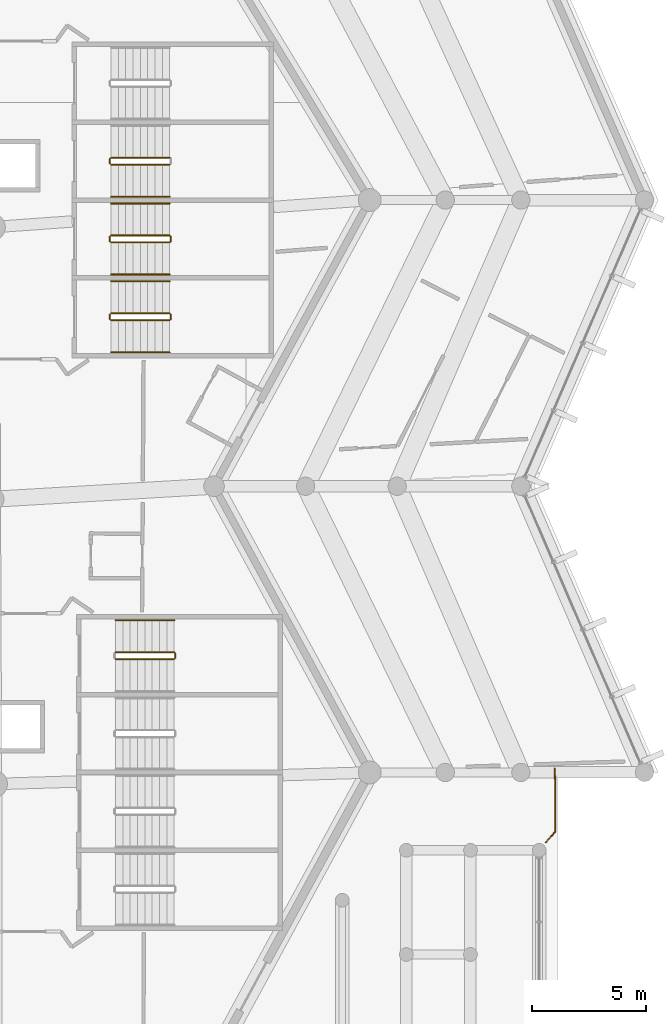
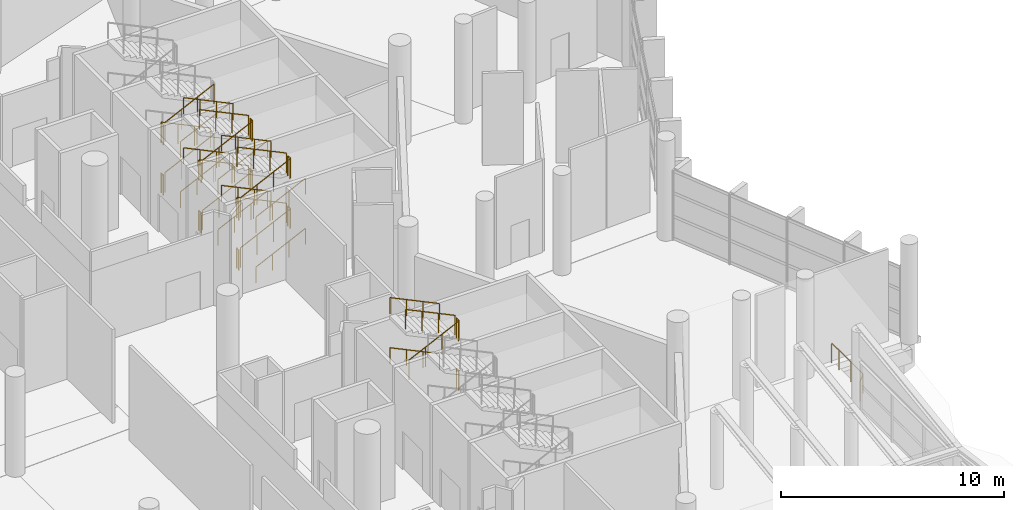
# One storey, part 263 of 271: 38 railings.
"""IFC4 building model written with IfcOpenShell, lengths in metres."""

import ifcopenshell
import ifcopenshell.guid

model = None  # the IFC model being written
_history = None  # IfcOwnerHistory: only IFC2X3 demands one
_inside = {}  # id of a spatial element -> (the spatial element, [elements in it])
_under = {}  # id of a project, library or spatial element -> (it, [spatial elements below it])
_declared = {}  # id of a project -> (the project, [libraries it declares])
_typed = {}  # id of a type object -> (the type object, [elements of that type])
_made_of = {}  # id of a material, layer set ... -> (it, [elements and type objects made of it])


def new_model(schema):
    """Start an empty IFC model of exactly this schema.

    Asked for "IFC4X3", IfcOpenShell would pick the latest addendum, in which some entities
    have other attributes; the version numbers below select the first issue.
    IFC2X3 requires an IfcOwnerHistory on every rooted entity: one is made here for all.
    """
    global model, _history
    if schema == "IFC4X3":
        model = ifcopenshell.file(schema_version=(4, 3, 0, 0))
    else:
        model = ifcopenshell.file(schema=schema)
    _inside.clear()
    _under.clear()
    _declared.clear()
    _typed.clear()
    _made_of.clear()
    _history = None
    if model.schema == "IFC2X3":
        org = make("IfcOrganization", Name="unknown")
        user = make(
            "IfcPersonAndOrganization",
            ThePerson=make("IfcPerson", FamilyName="unknown"),
            TheOrganization=org,
        )
        app = make(
            "IfcApplication",
            ApplicationDeveloper=org,
            Version="unknown",
            ApplicationFullName="unknown",
            ApplicationIdentifier="unknown",
        )
        _history = make(
            "IfcOwnerHistory",
            OwningUser=user,
            OwningApplication=app,
            ChangeAction="ADDED",
            CreationDate=0,
        )
    return model


def make(cls, **values):
    """One entity of the class cls with the attributes given. An attribute that is None is left unset."""
    return model.create_entity(
        cls, **{name: value for name, value in values.items() if value is not None}
    )


def rooted(cls, **values):
    """An entity with a GlobalId (a new one), such as an element, a storey or a relation."""
    return make(cls, GlobalId=ifcopenshell.guid.new(), OwnerHistory=_history, **values)


def si_unit(unit_type, name, prefix=None):
    """IfcSIUnit, for example si_unit("LENGTHUNIT", "METRE", prefix="MILLI")."""
    return make("IfcSIUnit", UnitType=unit_type, Prefix=prefix, Name=name)


def assignment(units):
    """IfcUnitAssignment: the units of a project."""
    return None if units is None else make("IfcUnitAssignment", Units=units)


def point(xyz):
    """IfcCartesianPoint."""
    return None if xyz is None else make("IfcCartesianPoint", Coordinates=xyz)


def direction(xyz):
    """IfcDirection."""
    return None if xyz is None else make("IfcDirection", DirectionRatios=xyz)


def frame(location, z_axis=None, x_axis=None):
    """IfcAxis2Placement3D, a coordinate frame: its origin and axes. An axis left out is left unset."""
    return make(
        "IfcAxis2Placement3D",
        Location=point(location),
        Axis=direction(z_axis),
        RefDirection=direction(x_axis),
    )


def frame_2d(location, x_axis=None):
    """IfcAxis2Placement2D, a coordinate frame in the plane: its origin and x axis."""
    return make(
        "IfcAxis2Placement2D", Location=point(location), RefDirection=direction(x_axis)
    )


def origin():
    """The frame at (0, 0, 0) with its axes left unset."""
    return frame((0.0, 0.0, 0.0))


def origin_2d():
    """The frame at (0, 0) in the plane with its x axis left unset."""
    return frame_2d((0.0, 0.0))


def place(relative_to, where):
    """IfcLocalPlacement: puts the frame where relative to a parent placement (None: the world)."""
    return make(
        "IfcLocalPlacement", PlacementRelTo=relative_to, RelativePlacement=where
    )


def context(
    kind, dimensions, precision=None, world=None, true_north=None, identifier=None
):
    """IfcGeometricRepresentationContext, for example the 3D "Model" context."""
    return make(
        "IfcGeometricRepresentationContext",
        ContextIdentifier=identifier,
        ContextType=kind,
        CoordinateSpaceDimension=dimensions,
        Precision=precision,
        WorldCoordinateSystem=world,
        TrueNorth=true_north,
    )


def subcontext(parent, identifier, kind, view, scale=None):
    """IfcGeometricRepresentationSubContext, for example "Body" below "Model"."""
    return make(
        "IfcGeometricRepresentationSubContext",
        ContextIdentifier=identifier,
        ContextType=kind,
        ParentContext=parent,
        TargetScale=scale,
        TargetView=view,
    )


def project(units=None, contexts=None):
    """IfcProject with its units and contexts."""
    return rooted(
        "IfcProject",
        Name="project",
        RepresentationContexts=contexts,
        UnitsInContext=assignment(units),
    )


def spatial(cls, under=None, at=None, **own):
    """A site, building, storey or space (cls), placed at a placement, below another one or the project."""
    s = rooted(cls, ObjectPlacement=at, **own)
    if under is not None:
        _under.setdefault(under.id(), (under, []))[1].append(s)
    return s


def profile(cls, at=None, kind="AREA", **sizes):
    """A parametric profile (cls). Its sizes go by their IFC names, for example OverallWidth=200.0."""
    return make(cls, ProfileType=kind, Position=at, **sizes)


def circle(**sizes):
    """IfcCircleProfileDef."""
    return profile("IfcCircleProfileDef", **sizes)


def extrude(swept, where, along, depth):
    """IfcExtrudedAreaSolid: the profile swept, set in the frame where, extruded along a direction by depth."""
    return make(
        "IfcExtrudedAreaSolid",
        SweptArea=swept,
        Position=where,
        ExtrudedDirection=direction(along),
        Depth=depth,
    )


def shape(context_of_items, identifier, shape_type, items):
    """IfcShapeRepresentation: the items that make up one representation, for example the "Body"."""
    return make(
        "IfcShapeRepresentation",
        ContextOfItems=context_of_items,
        RepresentationIdentifier=identifier,
        RepresentationType=shape_type,
        Items=items,
    )


def material(Name=None, Category=None):
    """IfcMaterial."""
    return make("IfcMaterial", Name=Name, Category=Category)


def made_of(thing, what):
    """Note that an element or type object is made of a material, layer set ...; save() writes the relation."""
    if what is not None:
        _made_of.setdefault(what.id(), (what, []))[1].append(thing)
    return thing


def type_object(cls, material=None, **own):
    """A type object (cls), such as IfcWallType, which elements share."""
    return made_of(rooted(cls, **own), material)


def element(
    cls,
    number,
    at=None,
    inside=None,
    cuts=None,
    type_object=None,
    material=None,
    context=None,
    identifier="Body",
    shape_type=None,
    held_by="IfcProductDefinitionShape",
    body=None,
    shapes=None,
    **own,
):
    """One element of the class cls, such as IfcWall. Its Tag is "e" and its number.

    at: its placement. inside: the storey or other place that contains it. cuts: it is an
    opening in that element (IfcRelVoidsElement). A single representation is given by context,
    identifier, shape_type and body (its items); several are given by shapes. held_by: the class
    of the entity that holds the representations. save() writes the other relations.
    """
    e = rooted(cls, Tag="e%d" % number, ObjectPlacement=at, **own)
    if body is not None:
        shapes = [shape(context, identifier, shape_type, body)]
    if shapes is not None:
        e.Representation = make(held_by, Representations=shapes)
    if inside is not None:
        _inside.setdefault(inside.id(), (inside, []))[1].append(e)
    if cuts is not None:
        rooted(
            "IfcRelVoidsElement", RelatingBuildingElement=cuts, RelatedOpeningElement=e
        )
    if type_object is not None:
        _typed.setdefault(type_object.id(), (type_object, []))[1].append(e)
    return made_of(e, material)


def aggregate(whole, parts):
    """IfcRelAggregates: a whole, such as a stair, and the parts it consists of."""
    return rooted("IfcRelAggregates", RelatingObject=whole, RelatedObjects=parts)


def save(model, path):
    """Write the relations noted so far, then the file.

    IfcRelAggregates (storeys below a building ...), IfcRelContainedInSpatialStructure (elements
    in a storey), IfcRelDefinesByType, IfcRelAssociatesMaterial and IfcRelDeclares: one each for
    every whole, place, type object, material and project.
    """
    for whole, parts in _under.values():
        aggregate(whole, parts)
    for where, things in _inside.values():
        rooted(
            "IfcRelContainedInSpatialStructure",
            RelatedElements=things,
            RelatingStructure=where,
        )
    for kind, things in _typed.values():
        rooted("IfcRelDefinesByType", RelatedObjects=things, RelatingType=kind)
    for what, things in _made_of.values():
        rooted("IfcRelAssociatesMaterial", RelatedObjects=things, RelatingMaterial=what)
    for by, libraries in _declared.values():
        rooted("IfcRelDeclares", RelatingContext=by, RelatedDefinitions=libraries)
    model.write(path)


model = new_model("IFC4")

# Units and contexts
model_context = context("Model", 3, precision=1e-05, world=origin(), true_north=direction((0.0, 1.0)))
body_context = subcontext(model_context, "Body", "Model", "MODEL_VIEW")
ifc_project = project(units=[si_unit("LENGTHUNIT", "METRE"), si_unit("AREAUNIT", "SQUARE_METRE"), si_unit("VOLUMEUNIT", "CUBIC_METRE"), si_unit("PLANEANGLEUNIT", "RADIAN"), si_unit("MASSUNIT", "GRAM", prefix="KILO")], contexts=[model_context])

# Site, building, storey
site_placement = place(None, origin())
site = spatial("IfcSite", under=ifc_project, at=site_placement, CompositionType="ELEMENT")
building_placement = place(site_placement, origin())
building = spatial("IfcBuilding", under=site, at=building_placement, Name="Meseta Stadium", CompositionType="ELEMENT")
storey_placement = place(building_placement, frame((0.0, 0.0, 6.5)))
storey = spatial("IfcBuildingStorey", under=building, at=storey_placement, Name="L01", CompositionType="ELEMENT", Elevation=6.5)

# Railings
ifc_material_1 = material(Name="Steel S355", Category="steel")
railing_type_1 = type_object("IfcRailingType", Name="Plate edge guard 1100", PredefinedType="GUARDRAIL", material=ifc_material_1)
railing_1_placement = place(storey_placement, frame((109.4794921875, 18.927490234375, 0.0)))
element("IfcRailing", 1, at=railing_1_placement, inside=storey, type_object=railing_type_1, Name="Gate hall edge guard 2", PredefinedType="GUARDRAIL", context=body_context, shape_type="SweptSolid", body=[
    extrude(circle(Radius=0.02490234375, at=origin_2d()), frame((0.0, 0.0, 1.0751953125), z_axis=(0.033078814298, -0.999452746279, 0.0), x_axis=(0.999452746279, 0.033078814298, 0.0)), (0.0, 0.0, 1.0), 0.619873046875),
    extrude(circle(Radius=0.02490234375, at=origin_2d()), frame((0.0205078125, -0.61962890625, 1.0751953125), z_axis=(0.0, -1.0, 0.0), x_axis=(1.0, 0.0, 0.0)), (0.0, 0.0, 1.0), 2.149169921875),
    extrude(circle(Radius=0.02490234375, at=origin_2d()), frame((0.0205078125, -2.768798828125, 1.0751953125), z_axis=(-0.664119312189, -0.747626604113, 0.0), x_axis=(0.747626604113, -0.664119312189, 0.0)), (0.0, 0.0, 1.0), 0.619873046875),
    extrude(circle(Radius=0.02001953125, at=origin_2d()), origin(), (0.0, 0.0, 1.0), 1.050048828125),
    extrude(circle(Radius=0.02001953125, at=origin_2d()), frame((0.0205078125, -0.61962890625, 0.0)), (0.0, 0.0, 1.0), 1.050048828125),
    extrude(circle(Radius=0.02001953125, at=origin_2d()), frame((0.0205078125, -1.6943359375, 0.0)), (0.0, 0.0, 1.0), 1.050048828125),
    extrude(circle(Radius=0.02001953125, at=origin_2d()), frame((0.0205078125, -2.768798828125, 0.0)), (0.0, 0.0, 1.0), 1.050048828125),
    extrude(circle(Radius=0.02001953125, at=origin_2d()), frame((-0.39111328125, -3.232177734375, 0.0)), (0.0, 0.0, 1.0), 1.050048828125),
])
ifc_material_2 = material(Name="Steel S355", Category="steel")
railing_type_2 = type_object("IfcRailingType", Name="Stair guard 1100", PredefinedType="GUARDRAIL", material=ifc_material_2)
railing_2_placement = place(storey_placement, frame((92.909912109375, 23.75, 1.375)))
element("IfcRailing", 2, at=railing_2_placement, inside=storey, type_object=railing_type_2, Name="ST16 L01 guard 2", PredefinedType="GUARDRAIL", context=body_context, shape_type="SweptSolid", body=[
    extrude(circle(Radius=0.02392578125, at=origin_2d()), frame((0.0, 0.0, 1.076171875), z_axis=(0.0, 1.0, 0.0), x_axis=(-1.0, 0.0, 0.0)), (0.0, 0.0, 1.0), 0.199951171875),
    extrude(circle(Radius=0.02099609375, at=origin_2d()), origin(), (0.0, 0.0, 1.0), 1.052001953125),
    extrude(circle(Radius=0.02099609375, at=origin_2d()), frame((0.0, 0.199951171875, 0.0)), (0.0, 0.0, 1.0), 1.052001953125),
])
railing_3_placement = place(storey_placement, frame((90.300048828125, 23.699951171875, 2.90283203125)))
element("IfcRailing", 3, at=railing_3_placement, inside=storey, type_object=railing_type_2, Name="ST16 L01 guard 5", PredefinedType="GUARDRAIL", context=body_context, shape_type="SweptSolid", body=[
    extrude(circle(Radius=0.02392578125, at=origin_2d()), frame((0.0, 0.0, 1.076171875), z_axis=(0.902436934422, 0.0, 0.430821981091), x_axis=(0.0, 1.0, 0.0)), (0.0, 0.0, 1.0), 2.8369140625),
    extrude(circle(Radius=0.02099609375, at=origin_2d()), origin(), (0.0, 0.0, 1.0), 1.052001953125),
    extrude(circle(Radius=0.02099609375, at=origin_2d()), frame((0.853271484375, 0.0, 0.407470703125)), (0.0, 0.0, 1.0), 1.052001953125),
    extrude(circle(Radius=0.02099609375, at=origin_2d()), frame((1.706787109375, 0.0, 0.814697265625)), (0.0, 0.0, 1.0), 1.052001953125),
    extrude(circle(Radius=0.02099609375, at=origin_2d()), frame((2.56005859375, 0.0, 1.22216796875)), (0.0, 0.0, 1.0), 1.052001953125),
])
railing_4_placement = place(storey_placement, frame((92.909912109375, 23.75, 4.125)))
element("IfcRailing", 4, at=railing_4_placement, inside=storey, type_object=railing_type_2, Name="ST16 L01 guard 6", PredefinedType="GUARDRAIL", context=body_context, shape_type="SweptSolid", body=[
    extrude(circle(Radius=0.02392578125, at=origin_2d()), frame((0.0, 0.0, 1.076171875), z_axis=(0.0, 1.0, 0.0), x_axis=(-1.0, 0.0, 0.0)), (0.0, 0.0, 1.0), 0.199951171875),
    extrude(circle(Radius=0.02099609375, at=origin_2d()), origin(), (0.0, 0.0, 1.0), 1.052001953125),
    extrude(circle(Radius=0.02099609375, at=origin_2d()), frame((0.0, 0.199951171875, 0.0)), (0.0, 0.0, 1.0), 1.052001953125),
])
railing_5_placement = place(storey_placement, frame((92.860107421875, 24.0, 4.27783203125)))
element("IfcRailing", 5, at=railing_5_placement, inside=storey, type_object=railing_type_2, Name="ST16 L01 guard 7", PredefinedType="GUARDRAIL", context=body_context, shape_type="SweptSolid", body=[
    extrude(circle(Radius=0.02392578125, at=origin_2d()), frame((0.0, 0.0, 1.076171875), z_axis=(-0.902436934422, 0.0, 0.430821981091), x_axis=(0.0, -1.0, 0.0)), (0.0, 0.0, 1.0), 2.8369140625),
    extrude(circle(Radius=0.02099609375, at=origin_2d()), origin(), (0.0, 0.0, 1.0), 1.052001953125),
    extrude(circle(Radius=0.02099609375, at=origin_2d()), frame((-0.853271484375, 0.0, 0.407470703125)), (0.0, 0.0, 1.0), 1.052001953125),
    extrude(circle(Radius=0.02099609375, at=origin_2d()), frame((-1.706787109375, 0.0, 0.814697265625)), (0.0, 0.0, 1.0), 1.052001953125),
    extrude(circle(Radius=0.02099609375, at=origin_2d()), frame((-2.56005859375, 0.0, 1.22216796875)), (0.0, 0.0, 1.0), 1.052001953125),
])
railing_6_placement = place(storey_placement, frame((90.10009765625, 38.5, 0.15283203125)))
element("IfcRailing", 6, at=railing_6_placement, inside=storey, type_object=railing_type_2, Name="ST17 L01 guard 1", PredefinedType="GUARDRAIL", context=body_context, shape_type="SweptSolid", body=[
    extrude(circle(Radius=0.02392578125, at=origin_2d()), frame((0.0, 0.0, 1.076171875), z_axis=(0.902420958964, 0.0, 0.430855443069), x_axis=(0.0, 1.0, 0.0)), (0.0, 0.0, 1.0), 2.836669921875),
    extrude(circle(Radius=0.02099609375, at=origin_2d()), origin(), (0.0, 0.0, 1.0), 1.052001953125),
    extrude(circle(Radius=0.02099609375, at=origin_2d()), frame((0.853271484375, 0.0, 0.407470703125)), (0.0, 0.0, 1.0), 1.052001953125),
    extrude(circle(Radius=0.02099609375, at=origin_2d()), frame((1.70654296875, 0.0, 0.814697265625)), (0.0, 0.0, 1.0), 1.052001953125),
    extrude(circle(Radius=0.02099609375, at=origin_2d()), frame((2.559814453125, 0.0, 1.22216796875)), (0.0, 0.0, 1.0), 1.052001953125),
])
railing_7_placement = place(storey_placement, frame((92.7099609375, 38.550048828125, 1.375)))
element("IfcRailing", 7, at=railing_7_placement, inside=storey, type_object=railing_type_2, Name="ST17 L01 guard 2", PredefinedType="GUARDRAIL", context=body_context, shape_type="SweptSolid", body=[
    extrude(circle(Radius=0.02392578125, at=origin_2d()), frame((0.0, 0.0, 1.076171875), z_axis=(0.0, 1.0, 0.0), x_axis=(-1.0, 0.0, 0.0)), (0.0, 0.0, 1.0), 0.199951171875),
    extrude(circle(Radius=0.02099609375, at=origin_2d()), origin(), (0.0, 0.0, 1.0), 1.052001953125),
    extrude(circle(Radius=0.02099609375, at=origin_2d()), frame((0.0, 0.199951171875, 0.0)), (0.0, 0.0, 1.0), 1.052001953125),
])
railing_8_placement = place(storey_placement, frame((92.659912109375, 38.800048828125, 1.52783203125)))
element("IfcRailing", 8, at=railing_8_placement, inside=storey, type_object=railing_type_2, Name="ST17 L01 guard 3", PredefinedType="GUARDRAIL", context=body_context, shape_type="SweptSolid", body=[
    extrude(circle(Radius=0.02392578125, at=origin_2d()), frame((0.0, 0.0, 1.076171875), z_axis=(-0.902420958964, 0.0, 0.430855443069), x_axis=(0.0, -1.0, 0.0)), (0.0, 0.0, 1.0), 2.836669921875),
    extrude(circle(Radius=0.02099609375, at=origin_2d()), origin(), (0.0, 0.0, 1.0), 1.052001953125),
    extrude(circle(Radius=0.02099609375, at=origin_2d()), frame((-0.853271484375, 0.0, 0.407470703125)), (0.0, 0.0, 1.0), 1.052001953125),
    extrude(circle(Radius=0.02099609375, at=origin_2d()), frame((-1.70654296875, 0.0, 0.814697265625)), (0.0, 0.0, 1.0), 1.052001953125),
    extrude(circle(Radius=0.02099609375, at=origin_2d()), frame((-2.559814453125, 0.0, 1.22216796875)), (0.0, 0.0, 1.0), 1.052001953125),
])
railing_9_placement = place(storey_placement, frame((90.050048828125, 38.550048828125, 2.75)))
element("IfcRailing", 9, at=railing_9_placement, inside=storey, type_object=railing_type_2, Name="ST17 L01 guard 4", PredefinedType="GUARDRAIL", context=body_context, shape_type="SweptSolid", body=[
    extrude(circle(Radius=0.02392578125, at=origin_2d()), frame((0.0, 0.0, 1.076171875), z_axis=(0.0, 1.0, 0.0), x_axis=(-1.0, 0.0, 0.0)), (0.0, 0.0, 1.0), 0.199951171875),
    extrude(circle(Radius=0.02099609375, at=origin_2d()), origin(), (0.0, 0.0, 1.0), 1.052001953125),
    extrude(circle(Radius=0.02099609375, at=origin_2d()), frame((0.0, 0.199951171875, 0.0)), (0.0, 0.0, 1.0), 1.052001953125),
])
railing_10_placement = place(storey_placement, frame((90.10009765625, 38.5, 2.90283203125)))
element("IfcRailing", 10, at=railing_10_placement, inside=storey, type_object=railing_type_2, Name="ST17 L01 guard 5", PredefinedType="GUARDRAIL", context=body_context, shape_type="SweptSolid", body=[
    extrude(circle(Radius=0.02392578125, at=origin_2d()), frame((0.0, 0.0, 1.076171875), z_axis=(0.902420958964, 0.0, 0.430855443069), x_axis=(0.0, 1.0, 0.0)), (0.0, 0.0, 1.0), 2.836669921875),
    extrude(circle(Radius=0.02099609375, at=origin_2d()), origin(), (0.0, 0.0, 1.0), 1.052001953125),
    extrude(circle(Radius=0.02099609375, at=origin_2d()), frame((0.853271484375, 0.0, 0.407470703125)), (0.0, 0.0, 1.0), 1.052001953125),
    extrude(circle(Radius=0.02099609375, at=origin_2d()), frame((1.70654296875, 0.0, 0.814697265625)), (0.0, 0.0, 1.0), 1.052001953125),
    extrude(circle(Radius=0.02099609375, at=origin_2d()), frame((2.559814453125, 0.0, 1.22216796875)), (0.0, 0.0, 1.0), 1.052001953125),
])
railing_11_placement = place(storey_placement, frame((92.7099609375, 38.550048828125, 4.125)))
element("IfcRailing", 11, at=railing_11_placement, inside=storey, type_object=railing_type_2, Name="ST17 L01 guard 6", PredefinedType="GUARDRAIL", context=body_context, shape_type="SweptSolid", body=[
    extrude(circle(Radius=0.02392578125, at=origin_2d()), frame((0.0, 0.0, 1.076171875), z_axis=(0.0, 1.0, 0.0), x_axis=(-1.0, 0.0, 0.0)), (0.0, 0.0, 1.0), 0.199951171875),
    extrude(circle(Radius=0.02099609375, at=origin_2d()), origin(), (0.0, 0.0, 1.0), 1.052001953125),
    extrude(circle(Radius=0.02099609375, at=origin_2d()), frame((0.0, 0.199951171875, 0.0)), (0.0, 0.0, 1.0), 1.052001953125),
])
railing_12_placement = place(storey_placement, frame((92.659912109375, 38.800048828125, 4.27783203125)))
element("IfcRailing", 12, at=railing_12_placement, inside=storey, type_object=railing_type_2, Name="ST17 L01 guard 7", PredefinedType="GUARDRAIL", context=body_context, shape_type="SweptSolid", body=[
    extrude(circle(Radius=0.02392578125, at=origin_2d()), frame((0.0, 0.0, 1.076171875), z_axis=(-0.902420958964, 0.0, 0.430855443069), x_axis=(0.0, -1.0, 0.0)), (0.0, 0.0, 1.0), 2.836669921875),
    extrude(circle(Radius=0.02099609375, at=origin_2d()), origin(), (0.0, 0.0, 1.0), 1.052001953125),
    extrude(circle(Radius=0.02099609375, at=origin_2d()), frame((-0.853271484375, 0.0, 0.407470703125)), (0.0, 0.0, 1.0), 1.052001953125),
    extrude(circle(Radius=0.02099609375, at=origin_2d()), frame((-1.70654296875, 0.0, 0.814697265625)), (0.0, 0.0, 1.0), 1.052001953125),
    extrude(circle(Radius=0.02099609375, at=origin_2d()), frame((-2.559814453125, 0.0, 1.22216796875)), (0.0, 0.0, 1.0), 1.052001953125),
])
railing_13_placement = place(storey_placement, frame((90.050048828125, 38.550048828125, 0.0)))
element("IfcRailing", 13, at=railing_13_placement, inside=storey, type_object=railing_type_2, Name="ST17 L01 guard 8", PredefinedType="GUARDRAIL", context=body_context, shape_type="SweptSolid", body=[
    extrude(circle(Radius=0.02392578125, at=origin_2d()), frame((0.0, 0.0, 1.076171875), z_axis=(0.0, 1.0, 0.0), x_axis=(-1.0, 0.0, 0.0)), (0.0, 0.0, 1.0), 0.199951171875),
    extrude(circle(Radius=0.02099609375, at=origin_2d()), origin(), (0.0, 0.0, 1.0), 1.052001953125),
    extrude(circle(Radius=0.02099609375, at=origin_2d()), frame((0.0, 0.199951171875, 0.0)), (0.0, 0.0, 1.0), 1.052001953125),
])
railing_14_placement = place(storey_placement, frame((90.10009765625, 41.89990234375, 0.15283203125)))
element("IfcRailing", 14, at=railing_14_placement, inside=storey, type_object=railing_type_2, Name="ST18 L01 guard 1", PredefinedType="GUARDRAIL", context=body_context, shape_type="SweptSolid", body=[
    extrude(circle(Radius=0.02392578125, at=origin_2d()), frame((0.0, 0.0, 1.076171875), z_axis=(0.902420958964, 0.0, 0.430855443069), x_axis=(0.0, 1.0, 0.0)), (0.0, 0.0, 1.0), 2.836669921875),
    extrude(circle(Radius=0.02099609375, at=origin_2d()), origin(), (0.0, 0.0, 1.0), 1.052001953125),
    extrude(circle(Radius=0.02099609375, at=origin_2d()), frame((0.853271484375, 0.0, 0.407470703125)), (0.0, 0.0, 1.0), 1.052001953125),
    extrude(circle(Radius=0.02099609375, at=origin_2d()), frame((1.70654296875, 0.0, 0.814697265625)), (0.0, 0.0, 1.0), 1.052001953125),
    extrude(circle(Radius=0.02099609375, at=origin_2d()), frame((2.559814453125, 0.0, 1.22216796875)), (0.0, 0.0, 1.0), 1.052001953125),
])
railing_15_placement = place(storey_placement, frame((92.7099609375, 41.949951171875, 1.375)))
element("IfcRailing", 15, at=railing_15_placement, inside=storey, type_object=railing_type_2, Name="ST18 L01 guard 2", PredefinedType="GUARDRAIL", context=body_context, shape_type="SweptSolid", body=[
    extrude(circle(Radius=0.02392578125, at=origin_2d()), frame((0.0, 0.0, 1.076171875), z_axis=(0.0, 1.0, 0.0), x_axis=(-1.0, 0.0, 0.0)), (0.0, 0.0, 1.0), 0.199951171875),
    extrude(circle(Radius=0.02099609375, at=origin_2d()), origin(), (0.0, 0.0, 1.0), 1.052001953125),
    extrude(circle(Radius=0.02099609375, at=origin_2d()), frame((0.0, 0.199951171875, 0.0)), (0.0, 0.0, 1.0), 1.052001953125),
])
railing_16_placement = place(storey_placement, frame((92.659912109375, 42.199951171875, 1.52783203125)))
element("IfcRailing", 16, at=railing_16_placement, inside=storey, type_object=railing_type_2, Name="ST18 L01 guard 3", PredefinedType="GUARDRAIL", context=body_context, shape_type="SweptSolid", body=[
    extrude(circle(Radius=0.02392578125, at=origin_2d()), frame((0.0, 0.0, 1.076171875), z_axis=(-0.902420958964, 0.0, 0.430855443069), x_axis=(0.0, -1.0, 0.0)), (0.0, 0.0, 1.0), 2.836669921875),
    extrude(circle(Radius=0.02099609375, at=origin_2d()), origin(), (0.0, 0.0, 1.0), 1.052001953125),
    extrude(circle(Radius=0.02099609375, at=origin_2d()), frame((-0.853271484375, 0.0, 0.407470703125)), (0.0, 0.0, 1.0), 1.052001953125),
    extrude(circle(Radius=0.02099609375, at=origin_2d()), frame((-1.70654296875, 0.0, 0.814697265625)), (0.0, 0.0, 1.0), 1.052001953125),
    extrude(circle(Radius=0.02099609375, at=origin_2d()), frame((-2.559814453125, 0.0, 1.22216796875)), (0.0, 0.0, 1.0), 1.052001953125),
])
railing_17_placement = place(storey_placement, frame((90.050048828125, 41.949951171875, 2.75)))
element("IfcRailing", 17, at=railing_17_placement, inside=storey, type_object=railing_type_2, Name="ST18 L01 guard 4", PredefinedType="GUARDRAIL", context=body_context, shape_type="SweptSolid", body=[
    extrude(circle(Radius=0.02392578125, at=origin_2d()), frame((0.0, 0.0, 1.076171875), z_axis=(0.0, 1.0, 0.0), x_axis=(-1.0, 0.0, 0.0)), (0.0, 0.0, 1.0), 0.199951171875),
    extrude(circle(Radius=0.02099609375, at=origin_2d()), origin(), (0.0, 0.0, 1.0), 1.052001953125),
    extrude(circle(Radius=0.02099609375, at=origin_2d()), frame((0.0, 0.199951171875, 0.0)), (0.0, 0.0, 1.0), 1.052001953125),
])
railing_18_placement = place(storey_placement, frame((90.10009765625, 41.89990234375, 2.90283203125)))
element("IfcRailing", 18, at=railing_18_placement, inside=storey, type_object=railing_type_2, Name="ST18 L01 guard 5", PredefinedType="GUARDRAIL", context=body_context, shape_type="SweptSolid", body=[
    extrude(circle(Radius=0.02392578125, at=origin_2d()), frame((0.0, 0.0, 1.076171875), z_axis=(0.902420958964, 0.0, 0.430855443069), x_axis=(0.0, 1.0, 0.0)), (0.0, 0.0, 1.0), 2.836669921875),
    extrude(circle(Radius=0.02099609375, at=origin_2d()), origin(), (0.0, 0.0, 1.0), 1.052001953125),
    extrude(circle(Radius=0.02099609375, at=origin_2d()), frame((0.853271484375, 0.0, 0.407470703125)), (0.0, 0.0, 1.0), 1.052001953125),
    extrude(circle(Radius=0.02099609375, at=origin_2d()), frame((1.70654296875, 0.0, 0.814697265625)), (0.0, 0.0, 1.0), 1.052001953125),
    extrude(circle(Radius=0.02099609375, at=origin_2d()), frame((2.559814453125, 0.0, 1.22216796875)), (0.0, 0.0, 1.0), 1.052001953125),
])
railing_19_placement = place(storey_placement, frame((92.7099609375, 41.949951171875, 4.125)))
element("IfcRailing", 19, at=railing_19_placement, inside=storey, type_object=railing_type_2, Name="ST18 L01 guard 6", PredefinedType="GUARDRAIL", context=body_context, shape_type="SweptSolid", body=[
    extrude(circle(Radius=0.02392578125, at=origin_2d()), frame((0.0, 0.0, 1.076171875), z_axis=(0.0, 1.0, 0.0), x_axis=(-1.0, 0.0, 0.0)), (0.0, 0.0, 1.0), 0.199951171875),
    extrude(circle(Radius=0.02099609375, at=origin_2d()), origin(), (0.0, 0.0, 1.0), 1.052001953125),
    extrude(circle(Radius=0.02099609375, at=origin_2d()), frame((0.0, 0.199951171875, 0.0)), (0.0, 0.0, 1.0), 1.052001953125),
])
railing_20_placement = place(storey_placement, frame((92.659912109375, 42.199951171875, 4.27783203125)))
element("IfcRailing", 20, at=railing_20_placement, inside=storey, type_object=railing_type_2, Name="ST18 L01 guard 7", PredefinedType="GUARDRAIL", context=body_context, shape_type="SweptSolid", body=[
    extrude(circle(Radius=0.02392578125, at=origin_2d()), frame((0.0, 0.0, 1.076171875), z_axis=(-0.902420958964, 0.0, 0.430855443069), x_axis=(0.0, -1.0, 0.0)), (0.0, 0.0, 1.0), 2.836669921875),
    extrude(circle(Radius=0.02099609375, at=origin_2d()), origin(), (0.0, 0.0, 1.0), 1.052001953125),
    extrude(circle(Radius=0.02099609375, at=origin_2d()), frame((-0.853271484375, 0.0, 0.407470703125)), (0.0, 0.0, 1.0), 1.052001953125),
    extrude(circle(Radius=0.02099609375, at=origin_2d()), frame((-1.70654296875, 0.0, 0.814697265625)), (0.0, 0.0, 1.0), 1.052001953125),
    extrude(circle(Radius=0.02099609375, at=origin_2d()), frame((-2.559814453125, 0.0, 1.22216796875)), (0.0, 0.0, 1.0), 1.052001953125),
])
railing_21_placement = place(storey_placement, frame((90.050048828125, 41.949951171875, 0.0)))
element("IfcRailing", 21, at=railing_21_placement, inside=storey, type_object=railing_type_2, Name="ST18 L01 guard 8", PredefinedType="GUARDRAIL", context=body_context, shape_type="SweptSolid", body=[
    extrude(circle(Radius=0.02392578125, at=origin_2d()), frame((0.0, 0.0, 1.076171875), z_axis=(0.0, 1.0, 0.0), x_axis=(-1.0, 0.0, 0.0)), (0.0, 0.0, 1.0), 0.199951171875),
    extrude(circle(Radius=0.02099609375, at=origin_2d()), origin(), (0.0, 0.0, 1.0), 1.052001953125),
    extrude(circle(Radius=0.02099609375, at=origin_2d()), frame((0.0, 0.199951171875, 0.0)), (0.0, 0.0, 1.0), 1.052001953125),
])
railing_22_placement = place(storey_placement, frame((90.10009765625, 45.300048828125, 0.15283203125)))
element("IfcRailing", 22, at=railing_22_placement, inside=storey, type_object=railing_type_2, Name="ST19 L01 guard 1", PredefinedType="GUARDRAIL", context=body_context, shape_type="SweptSolid", body=[
    extrude(circle(Radius=0.02392578125, at=origin_2d()), frame((0.0, 0.0, 1.076171875), z_axis=(0.902420958964, 0.0, 0.430855443069), x_axis=(0.0, 1.0, 0.0)), (0.0, 0.0, 1.0), 2.836669921875),
    extrude(circle(Radius=0.02099609375, at=origin_2d()), origin(), (0.0, 0.0, 1.0), 1.052001953125),
    extrude(circle(Radius=0.02099609375, at=origin_2d()), frame((0.853271484375, 0.0, 0.407470703125)), (0.0, 0.0, 1.0), 1.052001953125),
    extrude(circle(Radius=0.02099609375, at=origin_2d()), frame((1.70654296875, 0.0, 0.814697265625)), (0.0, 0.0, 1.0), 1.052001953125),
    extrude(circle(Radius=0.02099609375, at=origin_2d()), frame((2.559814453125, 0.0, 1.22216796875)), (0.0, 0.0, 1.0), 1.052001953125),
])
railing_23_placement = place(storey_placement, frame((92.659912109375, 45.60009765625, 1.52783203125)))
element("IfcRailing", 23, at=railing_23_placement, inside=storey, type_object=railing_type_2, Name="ST19 L01 guard 3", PredefinedType="GUARDRAIL", context=body_context, shape_type="SweptSolid", body=[
    extrude(circle(Radius=0.02392578125, at=origin_2d()), frame((0.0, 0.0, 1.076171875), z_axis=(-0.902420958964, 0.0, 0.430855443069), x_axis=(0.0, -1.0, 0.0)), (0.0, 0.0, 1.0), 2.836669921875),
    extrude(circle(Radius=0.02099609375, at=origin_2d()), origin(), (0.0, 0.0, 1.0), 1.052001953125),
    extrude(circle(Radius=0.02099609375, at=origin_2d()), frame((-0.853271484375, 0.0, 0.407470703125)), (0.0, 0.0, 1.0), 1.052001953125),
    extrude(circle(Radius=0.02099609375, at=origin_2d()), frame((-1.70654296875, 0.0, 0.814697265625)), (0.0, 0.0, 1.0), 1.052001953125),
    extrude(circle(Radius=0.02099609375, at=origin_2d()), frame((-2.559814453125, 0.0, 1.22216796875)), (0.0, 0.0, 1.0), 1.052001953125),
])
railing_24_placement = place(storey_placement, frame((90.050048828125, 45.35009765625, 2.75)))
element("IfcRailing", 24, at=railing_24_placement, inside=storey, type_object=railing_type_2, Name="ST19 L01 guard 4", PredefinedType="GUARDRAIL", context=body_context, shape_type="SweptSolid", body=[
    extrude(circle(Radius=0.02392578125, at=origin_2d()), frame((0.0, 0.0, 1.076171875), z_axis=(0.0, 1.0, 0.0), x_axis=(-1.0, 0.0, 0.0)), (0.0, 0.0, 1.0), 0.199951171875),
    extrude(circle(Radius=0.02099609375, at=origin_2d()), origin(), (0.0, 0.0, 1.0), 1.052001953125),
    extrude(circle(Radius=0.02099609375, at=origin_2d()), frame((0.0, 0.199951171875, 0.0)), (0.0, 0.0, 1.0), 1.052001953125),
])
railing_25_placement = place(storey_placement, frame((90.10009765625, 45.300048828125, 2.90283203125)))
element("IfcRailing", 25, at=railing_25_placement, inside=storey, type_object=railing_type_2, Name="ST19 L01 guard 5", PredefinedType="GUARDRAIL", context=body_context, shape_type="SweptSolid", body=[
    extrude(circle(Radius=0.02392578125, at=origin_2d()), frame((0.0, 0.0, 1.076171875), z_axis=(0.902420958964, 0.0, 0.430855443069), x_axis=(0.0, 1.0, 0.0)), (0.0, 0.0, 1.0), 2.836669921875),
    extrude(circle(Radius=0.02099609375, at=origin_2d()), origin(), (0.0, 0.0, 1.0), 1.052001953125),
    extrude(circle(Radius=0.02099609375, at=origin_2d()), frame((0.853271484375, 0.0, 0.407470703125)), (0.0, 0.0, 1.0), 1.052001953125),
    extrude(circle(Radius=0.02099609375, at=origin_2d()), frame((1.70654296875, 0.0, 0.814697265625)), (0.0, 0.0, 1.0), 1.052001953125),
    extrude(circle(Radius=0.02099609375, at=origin_2d()), frame((2.559814453125, 0.0, 1.22216796875)), (0.0, 0.0, 1.0), 1.052001953125),
])
railing_26_placement = place(storey_placement, frame((90.050048828125, 45.35009765625, 0.0)))
element("IfcRailing", 26, at=railing_26_placement, inside=storey, type_object=railing_type_2, Name="ST19 L01 guard 8", PredefinedType="GUARDRAIL", context=body_context, shape_type="SweptSolid", body=[
    extrude(circle(Radius=0.02392578125, at=origin_2d()), frame((0.0, 0.0, 1.076171875), z_axis=(0.0, 1.0, 0.0), x_axis=(-1.0, 0.0, 0.0)), (0.0, 0.0, 1.0), 0.199951171875),
    extrude(circle(Radius=0.02099609375, at=origin_2d()), origin(), (0.0, 0.0, 1.0), 1.052001953125),
    extrude(circle(Radius=0.02099609375, at=origin_2d()), frame((0.0, 0.199951171875, 0.0)), (0.0, 0.0, 1.0), 1.052001953125),
])
ifc_material_3 = material(Name="Steel S355", Category="steel")
railing_type_3 = type_object("IfcRailingType", Name="Stair handrail 900", PredefinedType="HANDRAIL", material=ifc_material_3)
for number, where, name in (
    (27, (92.860107421875, 25.39990234375, 1.52783203125), "ST16 L01 handrail 2"),
    (28, (92.860107421875, 25.39990234375, 4.27783203125), "ST16 L01 handrail 4"),
):
    element("IfcRailing", number, at=place(storey_placement, frame(where)), inside=storey, type_object=railing_type_3, Name=name, PredefinedType="HANDRAIL", context=body_context, shape_type="SweptSolid", body=[
        extrude(circle(Radius=0.02392578125, at=origin_2d()), frame((0.0, 0.0, 0.8759765625), z_axis=(-0.902436934422, 0.0, 0.430821981091), x_axis=(0.0, -1.0, 0.0)), (0.0, 0.0, 1.0), 2.8369140625),
        extrude(circle(Radius=0.02099609375, at=origin_2d()), origin(), (0.0, 0.0, 1.0), 0.851806640625),
        extrude(circle(Radius=0.02099609375, at=origin_2d()), frame((-0.853271484375, 0.0, 0.407470703125)), (0.0, 0.0, 1.0), 0.851806640625),
        extrude(circle(Radius=0.02099609375, at=origin_2d()), frame((-1.706787109375, 0.0, 0.814697265625)), (0.0, 0.0, 1.0), 0.851806640625),
        extrude(circle(Radius=0.02099609375, at=origin_2d()), frame((-2.56005859375, 0.0, 1.22216796875)), (0.0, 0.0, 1.0), 0.851806640625),
    ])
railing_27_placement = place(storey_placement, frame((90.10009765625, 37.10009765625, 0.15283203125)))
element("IfcRailing", 29, at=railing_27_placement, inside=storey, type_object=railing_type_3, Name="ST17 L01 handrail 1", PredefinedType="HANDRAIL", context=body_context, shape_type="SweptSolid", body=[
    extrude(circle(Radius=0.02392578125, at=origin_2d()), frame((0.0, 0.0, 0.8759765625), z_axis=(0.902420958964, 0.0, 0.430855443069), x_axis=(0.0, 1.0, 0.0)), (0.0, 0.0, 1.0), 2.836669921875),
    extrude(circle(Radius=0.02099609375, at=origin_2d()), origin(), (0.0, 0.0, 1.0), 0.851806640625),
    extrude(circle(Radius=0.02099609375, at=origin_2d()), frame((0.853271484375, 0.0, 0.407470703125)), (0.0, 0.0, 1.0), 0.851806640625),
    extrude(circle(Radius=0.02099609375, at=origin_2d()), frame((1.70654296875, 0.0, 0.814697265625)), (0.0, 0.0, 1.0), 0.851806640625),
    extrude(circle(Radius=0.02099609375, at=origin_2d()), frame((2.559814453125, 0.0, 1.22216796875)), (0.0, 0.0, 1.0), 0.851806640625),
])
railing_28_placement = place(storey_placement, frame((92.659912109375, 40.199951171875, 1.52783203125)))
element("IfcRailing", 30, at=railing_28_placement, inside=storey, type_object=railing_type_3, Name="ST17 L01 handrail 2", PredefinedType="HANDRAIL", context=body_context, shape_type="SweptSolid", body=[
    extrude(circle(Radius=0.02392578125, at=origin_2d()), frame((0.0, 0.0, 0.8759765625), z_axis=(-0.902420958964, 0.0, 0.430855443069), x_axis=(0.0, -1.0, 0.0)), (0.0, 0.0, 1.0), 2.836669921875),
    extrude(circle(Radius=0.02099609375, at=origin_2d()), origin(), (0.0, 0.0, 1.0), 0.851806640625),
    extrude(circle(Radius=0.02099609375, at=origin_2d()), frame((-0.853271484375, 0.0, 0.407470703125)), (0.0, 0.0, 1.0), 0.851806640625),
    extrude(circle(Radius=0.02099609375, at=origin_2d()), frame((-1.70654296875, 0.0, 0.814697265625)), (0.0, 0.0, 1.0), 0.851806640625),
    extrude(circle(Radius=0.02099609375, at=origin_2d()), frame((-2.559814453125, 0.0, 1.22216796875)), (0.0, 0.0, 1.0), 0.851806640625),
])
railing_29_placement = place(storey_placement, frame((90.10009765625, 37.10009765625, 2.90283203125)))
element("IfcRailing", 31, at=railing_29_placement, inside=storey, type_object=railing_type_3, Name="ST17 L01 handrail 3", PredefinedType="HANDRAIL", context=body_context, shape_type="SweptSolid", body=[
    extrude(circle(Radius=0.02392578125, at=origin_2d()), frame((0.0, 0.0, 0.8759765625), z_axis=(0.902420958964, 0.0, 0.430855443069), x_axis=(0.0, 1.0, 0.0)), (0.0, 0.0, 1.0), 2.836669921875),
    extrude(circle(Radius=0.02099609375, at=origin_2d()), origin(), (0.0, 0.0, 1.0), 0.851806640625),
    extrude(circle(Radius=0.02099609375, at=origin_2d()), frame((0.853271484375, 0.0, 0.407470703125)), (0.0, 0.0, 1.0), 0.851806640625),
    extrude(circle(Radius=0.02099609375, at=origin_2d()), frame((1.70654296875, 0.0, 0.814697265625)), (0.0, 0.0, 1.0), 0.851806640625),
    extrude(circle(Radius=0.02099609375, at=origin_2d()), frame((2.559814453125, 0.0, 1.22216796875)), (0.0, 0.0, 1.0), 0.851806640625),
])
railing_30_placement = place(storey_placement, frame((92.659912109375, 40.199951171875, 4.27783203125)))
element("IfcRailing", 32, at=railing_30_placement, inside=storey, type_object=railing_type_3, Name="ST17 L01 handrail 4", PredefinedType="HANDRAIL", context=body_context, shape_type="SweptSolid", body=[
    extrude(circle(Radius=0.02392578125, at=origin_2d()), frame((0.0, 0.0, 0.8759765625), z_axis=(-0.902420958964, 0.0, 0.430855443069), x_axis=(0.0, -1.0, 0.0)), (0.0, 0.0, 1.0), 2.836669921875),
    extrude(circle(Radius=0.02099609375, at=origin_2d()), origin(), (0.0, 0.0, 1.0), 0.851806640625),
    extrude(circle(Radius=0.02099609375, at=origin_2d()), frame((-0.853271484375, 0.0, 0.407470703125)), (0.0, 0.0, 1.0), 0.851806640625),
    extrude(circle(Radius=0.02099609375, at=origin_2d()), frame((-1.70654296875, 0.0, 0.814697265625)), (0.0, 0.0, 1.0), 0.851806640625),
    extrude(circle(Radius=0.02099609375, at=origin_2d()), frame((-2.559814453125, 0.0, 1.22216796875)), (0.0, 0.0, 1.0), 0.851806640625),
])
railing_31_placement = place(storey_placement, frame((90.10009765625, 40.5, 0.15283203125)))
element("IfcRailing", 33, at=railing_31_placement, inside=storey, type_object=railing_type_3, Name="ST18 L01 handrail 1", PredefinedType="HANDRAIL", context=body_context, shape_type="SweptSolid", body=[
    extrude(circle(Radius=0.02392578125, at=origin_2d()), frame((0.0, 0.0, 0.8759765625), z_axis=(0.902420958964, 0.0, 0.430855443069), x_axis=(0.0, 1.0, 0.0)), (0.0, 0.0, 1.0), 2.836669921875),
    extrude(circle(Radius=0.02099609375, at=origin_2d()), origin(), (0.0, 0.0, 1.0), 0.851806640625),
    extrude(circle(Radius=0.02099609375, at=origin_2d()), frame((0.853271484375, 0.0, 0.407470703125)), (0.0, 0.0, 1.0), 0.851806640625),
    extrude(circle(Radius=0.02099609375, at=origin_2d()), frame((1.70654296875, 0.0, 0.814697265625)), (0.0, 0.0, 1.0), 0.851806640625),
    extrude(circle(Radius=0.02099609375, at=origin_2d()), frame((2.559814453125, 0.0, 1.22216796875)), (0.0, 0.0, 1.0), 0.851806640625),
])
railing_32_placement = place(storey_placement, frame((92.659912109375, 43.60009765625, 1.52783203125)))
element("IfcRailing", 34, at=railing_32_placement, inside=storey, type_object=railing_type_3, Name="ST18 L01 handrail 2", PredefinedType="HANDRAIL", context=body_context, shape_type="SweptSolid", body=[
    extrude(circle(Radius=0.02392578125, at=origin_2d()), frame((0.0, 0.0, 0.8759765625), z_axis=(-0.902420958964, 0.0, 0.430855443069), x_axis=(0.0, -1.0, 0.0)), (0.0, 0.0, 1.0), 2.836669921875),
    extrude(circle(Radius=0.02099609375, at=origin_2d()), origin(), (0.0, 0.0, 1.0), 0.851806640625),
    extrude(circle(Radius=0.02099609375, at=origin_2d()), frame((-0.853271484375, 0.0, 0.407470703125)), (0.0, 0.0, 1.0), 0.851806640625),
    extrude(circle(Radius=0.02099609375, at=origin_2d()), frame((-1.70654296875, 0.0, 0.814697265625)), (0.0, 0.0, 1.0), 0.851806640625),
    extrude(circle(Radius=0.02099609375, at=origin_2d()), frame((-2.559814453125, 0.0, 1.22216796875)), (0.0, 0.0, 1.0), 0.851806640625),
])
railing_33_placement = place(storey_placement, frame((90.10009765625, 40.5, 2.90283203125)))
element("IfcRailing", 35, at=railing_33_placement, inside=storey, type_object=railing_type_3, Name="ST18 L01 handrail 3", PredefinedType="HANDRAIL", context=body_context, shape_type="SweptSolid", body=[
    extrude(circle(Radius=0.02392578125, at=origin_2d()), frame((0.0, 0.0, 0.8759765625), z_axis=(0.902420958964, 0.0, 0.430855443069), x_axis=(0.0, 1.0, 0.0)), (0.0, 0.0, 1.0), 2.836669921875),
    extrude(circle(Radius=0.02099609375, at=origin_2d()), origin(), (0.0, 0.0, 1.0), 0.851806640625),
    extrude(circle(Radius=0.02099609375, at=origin_2d()), frame((0.853271484375, 0.0, 0.407470703125)), (0.0, 0.0, 1.0), 0.851806640625),
    extrude(circle(Radius=0.02099609375, at=origin_2d()), frame((1.70654296875, 0.0, 0.814697265625)), (0.0, 0.0, 1.0), 0.851806640625),
    extrude(circle(Radius=0.02099609375, at=origin_2d()), frame((2.559814453125, 0.0, 1.22216796875)), (0.0, 0.0, 1.0), 0.851806640625),
])
railing_34_placement = place(storey_placement, frame((92.659912109375, 43.60009765625, 4.27783203125)))
element("IfcRailing", 36, at=railing_34_placement, inside=storey, type_object=railing_type_3, Name="ST18 L01 handrail 4", PredefinedType="HANDRAIL", context=body_context, shape_type="SweptSolid", body=[
    extrude(circle(Radius=0.02392578125, at=origin_2d()), frame((0.0, 0.0, 0.8759765625), z_axis=(-0.902420958964, 0.0, 0.430855443069), x_axis=(0.0, -1.0, 0.0)), (0.0, 0.0, 1.0), 2.836669921875),
    extrude(circle(Radius=0.02099609375, at=origin_2d()), origin(), (0.0, 0.0, 1.0), 0.851806640625),
    extrude(circle(Radius=0.02099609375, at=origin_2d()), frame((-0.853271484375, 0.0, 0.407470703125)), (0.0, 0.0, 1.0), 0.851806640625),
    extrude(circle(Radius=0.02099609375, at=origin_2d()), frame((-1.70654296875, 0.0, 0.814697265625)), (0.0, 0.0, 1.0), 0.851806640625),
    extrude(circle(Radius=0.02099609375, at=origin_2d()), frame((-2.559814453125, 0.0, 1.22216796875)), (0.0, 0.0, 1.0), 0.851806640625),
])
for number, where, name in (
    (37, (90.10009765625, 43.89990234375, 0.15283203125), "ST19 L01 handrail 1"),
    (38, (90.10009765625, 43.89990234375, 2.90283203125), "ST19 L01 handrail 3"),
):
    element("IfcRailing", number, at=place(storey_placement, frame(where)), inside=storey, type_object=railing_type_3, Name=name, PredefinedType="HANDRAIL", context=body_context, shape_type="SweptSolid", body=[
        extrude(circle(Radius=0.02392578125, at=origin_2d()), frame((0.0, 0.0, 0.8759765625), z_axis=(0.902420958964, 0.0, 0.430855443069), x_axis=(0.0, 1.0, 0.0)), (0.0, 0.0, 1.0), 2.836669921875),
        extrude(circle(Radius=0.02099609375, at=origin_2d()), origin(), (0.0, 0.0, 1.0), 0.851806640625),
        extrude(circle(Radius=0.02099609375, at=origin_2d()), frame((0.853271484375, 0.0, 0.407470703125)), (0.0, 0.0, 1.0), 0.851806640625),
        extrude(circle(Radius=0.02099609375, at=origin_2d()), frame((1.70654296875, 0.0, 0.814697265625)), (0.0, 0.0, 1.0), 0.851806640625),
        extrude(circle(Radius=0.02099609375, at=origin_2d()), frame((2.559814453125, 0.0, 1.22216796875)), (0.0, 0.0, 1.0), 0.851806640625),
    ])

save(model, "model.ifc")
